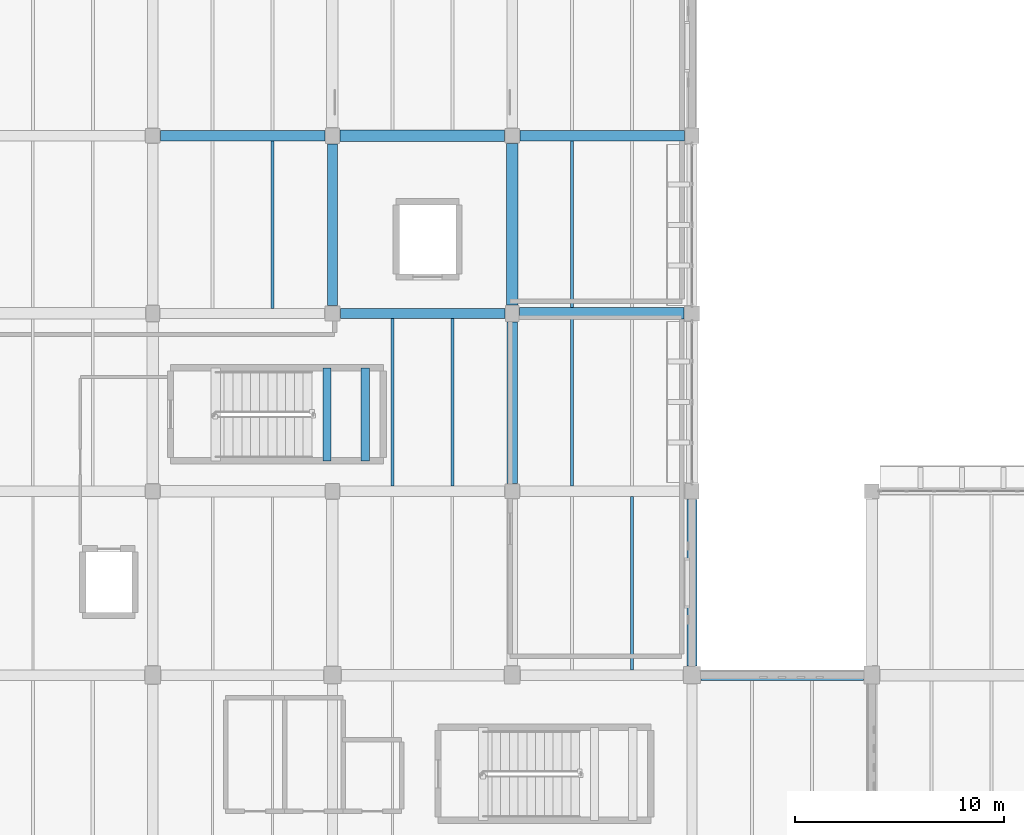
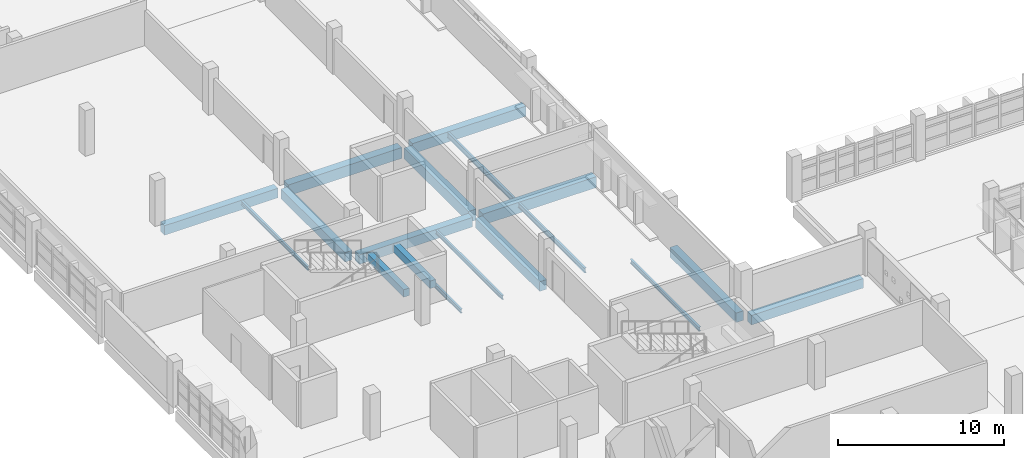
# One storey, part 17 of 75: 18 beams.
"""IFC4 building model written with IfcOpenShell, lengths in metres."""

from ifc_helpers import new_model, si_unit, direction, frame, origin, origin_2d, place, context, subcontext, project, spatial, rectangle, i_section, extrude, material, material_profile, profile_set, type_object, element, save


model = new_model("IFC4")

# Units and contexts
model_context = context("Model", 3, precision=1e-05, world=origin(), true_north=direction((0.0, 1.0)))
body_context = subcontext(model_context, "Body", "Model", "MODEL_VIEW")
ifc_project = project(units=[si_unit("LENGTHUNIT", "METRE"), si_unit("AREAUNIT", "SQUARE_METRE"), si_unit("VOLUMEUNIT", "CUBIC_METRE"), si_unit("PLANEANGLEUNIT", "RADIAN"), si_unit("MASSUNIT", "GRAM", prefix="KILO")], contexts=[model_context])

# Site, building, storey
site_placement = place(None, origin())
site = spatial("IfcSite", under=ifc_project, at=site_placement, CompositionType="ELEMENT")
building_placement = place(site_placement, origin())
building = spatial("IfcBuilding", under=site, at=building_placement, Name="Varnakota Cinema and Media Centre", CompositionType="ELEMENT")
storey_placement = place(building_placement, frame((0.0, 0.0, 8.39990234375)))
storey = spatial("IfcBuildingStorey", under=building, at=storey_placement, Name="L02", CompositionType="ELEMENT", Elevation=8.39990234375)

# Beams
ifc_material_1 = material(Name="Concrete M35", Category="concrete")
ifc_material_profile_1 = material_profile(ifc_material_1, rectangle(XDim=0.39990234375, YDim=0.550048828125, at=origin_2d()), Name="RCB 400x550")
ifc_profile_set_1 = profile_set([ifc_material_profile_1], Name="Concrete M35")
beam_type_1 = type_object("IfcBeamType", Name="BM-RC-400x550", PredefinedType="BEAM", material=ifc_profile_set_1)
for number, where, z_axis, x_axis, name in (
    (1, (16.937255859375, 45.449951171875, 1.3251953125), (0.0, 1.0, 0.0), (-1.0, 0.0, 0.0), "L02 ST-03 landing support beam 1"),
    (2, (18.7626953125, 45.449951171875, 1.3251953125), (0.0, 1.0, 0.0), (-1.0, 0.0, 0.0), "L02 ST-03 landing support beam 2"),
):
    element("IfcBeam", number, at=place(storey_placement, frame(where, z_axis=z_axis, x_axis=x_axis)), inside=storey, type_object=beam_type_1, Name=name, PredefinedType="BEAM", context=body_context, shape_type="SweptSolid", body=[
        extrude(rectangle(XDim=0.39990234375, YDim=0.550048828125, at=origin_2d()), origin(), (0.0, 0.0, 1.0), 4.449951171875),
    ])
ifc_material_2 = material(Name="Concrete M35", Category="concrete")
ifc_material_profile_2 = material_profile(ifc_material_2, rectangle(XDim=0.5, YDim=0.699951171875, at=origin_2d()), Name="RCB 500x700")
ifc_profile_set_2 = profile_set([ifc_material_profile_2], Name="Concrete M35")
beam_type_2 = type_object("IfcBeamType", Name="BM-RC-500x700", PredefinedType="BEAM", material=ifc_profile_set_2)
beam_1_placement = place(storey_placement, frame((34.824951171875, 35.199951171875, -0.599853515625), z_axis=(1.0, 0.0, 0.0), x_axis=(0.0, 1.0, 0.0)))
element("IfcBeam", 3, at=beam_1_placement, inside=storey, type_object=beam_type_2, Name="L02 girder E-F/5", PredefinedType="BEAM", context=body_context, shape_type="SweptSolid", body=[
    extrude(rectangle(XDim=0.5, YDim=0.699951171875, at=origin_2d()), origin(), (0.0, 0.0, 1.0), 7.775146484375),
])
for number, where, z_axis, x_axis, name in (
    (4, (17.574951171875, 52.5, -0.599853515625), (1.0, 0.0, 0.0), (0.0, 1.0, 0.0), "L02 girder C-D/7"),
    (5, (8.97509765625, 61.0, -0.599853515625), (1.0, 0.0, 0.0), (0.0, 1.0, 0.0), "L02 girder B-C/8"),
):
    element("IfcBeam", number, at=place(storey_placement, frame(where, z_axis=z_axis, x_axis=x_axis)), inside=storey, type_object=beam_type_2, Name=name, PredefinedType="BEAM", context=body_context, shape_type="SweptSolid", body=[
        extrude(rectangle(XDim=0.5, YDim=0.699951171875, at=origin_2d()), origin(), (0.0, 0.0, 1.0), 7.875),
    ])
for number, where, z_axis, x_axis, name in (
    (6, (17.199951171875, 52.875, -0.599853515625), (0.0, 1.0, 0.0), (-1.0, 0.0, 0.0), "L02 girder C/7-8"),
    (7, (25.800048828125, 44.375, -0.599853515625), (0.0, 1.0, 0.0), (-1.0, 0.0, 0.0), "L02 girder D/6-7"),
):
    element("IfcBeam", number, at=place(storey_placement, frame(where, z_axis=z_axis, x_axis=x_axis)), inside=storey, type_object=beam_type_2, Name=name, PredefinedType="BEAM", context=body_context, shape_type="SweptSolid", body=[
        extrude(rectangle(XDim=0.5, YDim=0.699951171875, at=origin_2d()), origin(), (0.0, 0.0, 1.0), 7.72509765625),
    ])
beam_2_placement = place(storey_placement, frame((34.39990234375, 35.625, -0.599853515625), z_axis=(0.0, 1.0, 0.0), x_axis=(-1.0, 0.0, 0.0)))
element("IfcBeam", 8, at=beam_2_placement, inside=storey, type_object=beam_type_2, Name="L02 girder E/5-6", PredefinedType="BEAM", context=body_context, shape_type="SweptSolid", body=[
    extrude(rectangle(XDim=0.5, YDim=0.699951171875, at=origin_2d()), origin(), (0.0, 0.0, 1.0), 7.97509765625),
])
ifc_material_3 = material(Name="Concrete M35", Category="concrete")
ifc_material_profile_3 = material_profile(ifc_material_3, rectangle(XDim=0.5, YDim=0.75, at=origin_2d()), Name="RCB 500x750")
ifc_profile_set_3 = profile_set([ifc_material_profile_3], Name="Concrete M35")
beam_type_3 = type_object("IfcBeamType", Name="BM-RC-500x750", PredefinedType="BEAM", material=ifc_profile_set_3)
beam_3_placement = place(storey_placement, frame((26.175048828125, 61.0, -0.625), z_axis=(1.0, 0.0, 0.0), x_axis=(0.0, 1.0, 0.0)))
element("IfcBeam", 9, at=beam_3_placement, inside=storey, type_object=beam_type_3, Name="L02 girder D-E/8", PredefinedType="BEAM", context=body_context, shape_type="SweptSolid", body=[
    extrude(rectangle(XDim=0.5, YDim=0.75, at=origin_2d()), origin(), (0.0, 0.0, 1.0), 7.875),
])
ifc_material_4 = material(Name="Concrete M35", Category="concrete")
ifc_material_profile_4 = material_profile(ifc_material_4, rectangle(XDim=0.550048828125, YDim=0.800048828125, at=origin_2d()), Name="RCB 550x800")
ifc_profile_set_4 = profile_set([ifc_material_profile_4], Name="Concrete M35")
beam_type_4 = type_object("IfcBeamType", Name="BM-RC-550x800", PredefinedType="BEAM", material=ifc_profile_set_4)
for number, where, z_axis, x_axis, name in (
    (10, (26.14990234375, 52.5, -0.64990234375), (1.0, 0.0, 0.0), (0.0, 1.0, 0.0), "L02 girder D-E/7"),
    (11, (17.550048828125, 61.0, -0.64990234375), (1.0, 0.0, 0.0), (0.0, 1.0, 0.0), "L02 girder C-D/8"),
):
    element("IfcBeam", number, at=place(storey_placement, frame(where, z_axis=z_axis, x_axis=x_axis)), inside=storey, type_object=beam_type_4, Name=name, PredefinedType="BEAM", context=body_context, shape_type="SweptSolid", body=[
        extrude(rectangle(XDim=0.550048828125, YDim=0.800048828125, at=origin_2d()), origin(), (0.0, 0.0, 1.0), 7.875),
    ])
beam_4_placement = place(storey_placement, frame((25.800048828125, 52.89990234375, -0.64990234375), z_axis=(0.0, 1.0, 0.0), x_axis=(-1.0, 0.0, 0.0)))
element("IfcBeam", 12, at=beam_4_placement, inside=storey, type_object=beam_type_4, Name="L02 girder D/7-8", PredefinedType="BEAM", context=body_context, shape_type="SweptSolid", body=[
    extrude(rectangle(XDim=0.550048828125, YDim=0.800048828125, at=origin_2d()), origin(), (0.0, 0.0, 1.0), 7.72509765625),
])
ifc_material_5 = material(Name="Structural steel Grade 350 (E350)", Category="steel")
ifc_material_profile_5 = material_profile(ifc_material_5, i_section(OverallWidth=0.139892578125, OverallDepth=0.300048828125, WebThickness=0.0078125, FlangeThickness=0.01318359375, FilletRadius=0.013916015625, at=origin_2d()), Name="ISMB 300")
ifc_profile_set_5 = profile_set([ifc_material_profile_5], Name="Structural steel Grade 350 (E350)")
beam_type_5 = type_object("IfcBeamType", Name="BM-ST-ISMB300", PredefinedType="JOIST", material=ifc_profile_set_5)
for number, where, z_axis, x_axis, name in (
    (13, (14.333251953125, 52.75, -0.39990234375), (0.0, 1.0, 0.0), (-1.0, 0.0, 0.0), "L02 steel joist B-C/7-8 #2"),
    (14, (20.066650390625, 44.25, -0.39990234375), (0.0, 1.0, 0.0), (-1.0, 0.0, 0.0), "L02 steel joist C-D/6-7 #1"),
    (15, (22.933349609375, 44.25, -0.39990234375), (0.0, 1.0, 0.0), (-1.0, 0.0, 0.0), "L02 steel joist C-D/6-7 #2"),
):
    element("IfcBeam", number, at=place(storey_placement, frame(where, z_axis=z_axis, x_axis=x_axis)), inside=storey, type_object=beam_type_5, Name=name, PredefinedType="JOIST", context=body_context, shape_type="SweptSolid", body=[
        extrude(i_section(OverallWidth=0.139892578125, OverallDepth=0.300048828125, WebThickness=0.0078125, FlangeThickness=0.01318359375, FilletRadius=0.013916015625, at=origin_2d()), origin(), (0.0, 0.0, 1.0), 8.0),
    ])
beam_5_placement = place(storey_placement, frame((31.533203125, 35.449951171875, -0.39990234375), z_axis=(0.0, 1.0, 0.0), x_axis=(-1.0, 0.0, 0.0)))
element("IfcBeam", 16, at=beam_5_placement, inside=storey, type_object=beam_type_5, Name="L02 steel joist D-E/5-6 #2", PredefinedType="JOIST", context=body_context, shape_type="SweptSolid", body=[
    extrude(i_section(OverallWidth=0.139892578125, OverallDepth=0.300048828125, WebThickness=0.0078125, FlangeThickness=0.01318359375, FilletRadius=0.013916015625, at=origin_2d()), origin(), (0.0, 0.0, 1.0), 8.300048828125),
])
ifc_material_6 = material(Name="Structural steel Grade 350 (E350)", Category="steel")
ifc_material_profile_6 = material_profile(ifc_material_6, i_section(OverallWidth=0.139892578125, OverallDepth=0.35009765625, WebThickness=0.008056640625, FlangeThickness=0.01416015625, FilletRadius=0.013916015625, at=origin_2d()), Name="ISMB 350")
ifc_profile_set_6 = profile_set([ifc_material_profile_6], Name="Structural steel Grade 350 (E350)")
beam_type_6 = type_object("IfcBeamType", Name="BM-ST-ISMB350", PredefinedType="JOIST", material=ifc_profile_set_6)
beam_6_placement = place(storey_placement, frame((28.666748046875, 44.25, -0.4248046875), z_axis=(0.0, 1.0, 0.0), x_axis=(-1.0, 0.0, 0.0)))
element("IfcBeam", 17, at=beam_6_placement, inside=storey, type_object=beam_type_6, Name="L02 steel joist D-E/6-7 #1", PredefinedType="JOIST", context=body_context, shape_type="SweptSolid", body=[
    extrude(i_section(OverallWidth=0.139892578125, OverallDepth=0.35009765625, WebThickness=0.008056640625, FlangeThickness=0.01416015625, FilletRadius=0.013916015625, at=origin_2d()), origin(), (0.0, 0.0, 1.0), 7.97509765625),
])
ifc_material_7 = material(Name="Structural steel Grade 350 (E350)", Category="steel")
ifc_material_profile_7 = material_profile(ifc_material_7, i_section(OverallWidth=0.139892578125, OverallDepth=0.39990234375, WebThickness=0.0087890625, FlangeThickness=0.01611328125, FilletRadius=0.013916015625, at=origin_2d()), Name="ISMB 400")
ifc_profile_set_7 = profile_set([ifc_material_profile_7], Name="Structural steel Grade 350 (E350)")
beam_type_7 = type_object("IfcBeamType", Name="BM-ST-ISMB400", PredefinedType="JOIST", material=ifc_profile_set_7)
beam_7_placement = place(storey_placement, frame((28.666748046875, 52.77490234375, -0.449951171875), z_axis=(0.0, 1.0, 0.0), x_axis=(-1.0, 0.0, 0.0)))
element("IfcBeam", 18, at=beam_7_placement, inside=storey, type_object=beam_type_7, Name="L02 steel joist D-E/7-8 #1", PredefinedType="JOIST", context=body_context, shape_type="SweptSolid", body=[
    extrude(i_section(OverallWidth=0.139892578125, OverallDepth=0.39990234375, WebThickness=0.0087890625, FlangeThickness=0.01611328125, FilletRadius=0.013916015625, at=origin_2d()), origin(), (0.0, 0.0, 1.0), 7.97509765625),
])

save(model, "model.ifc")
